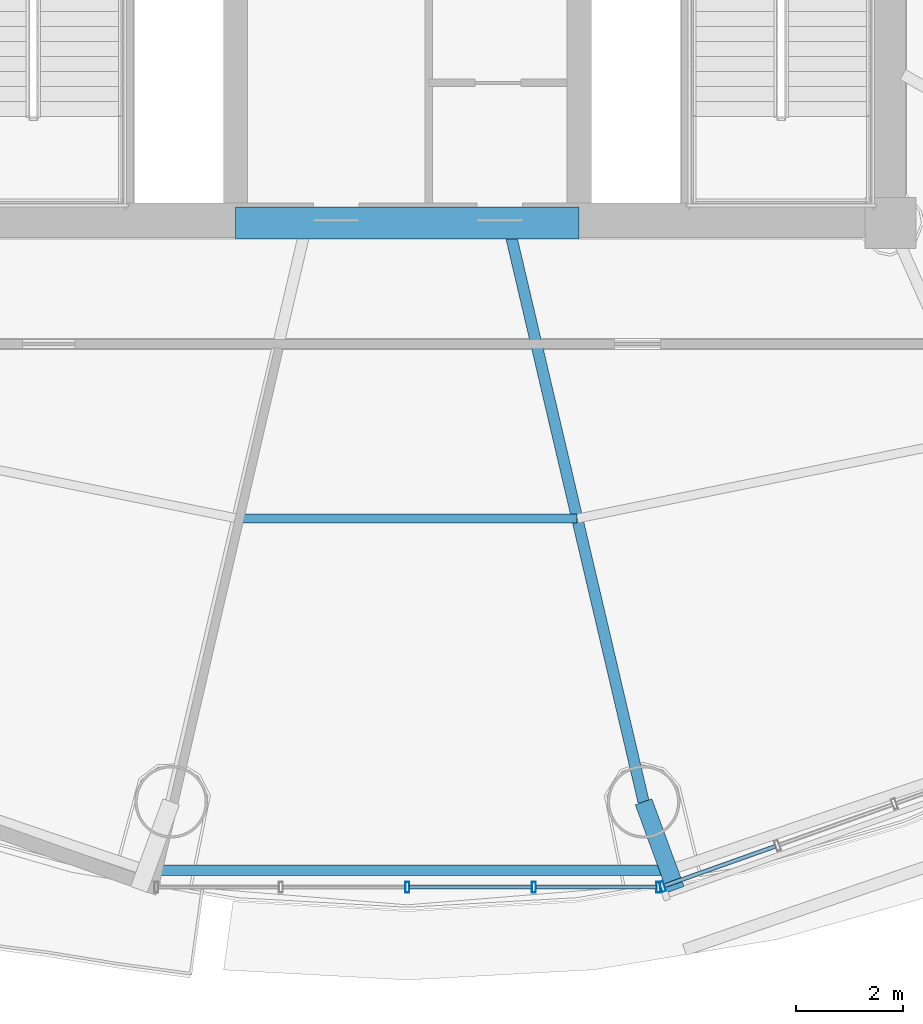
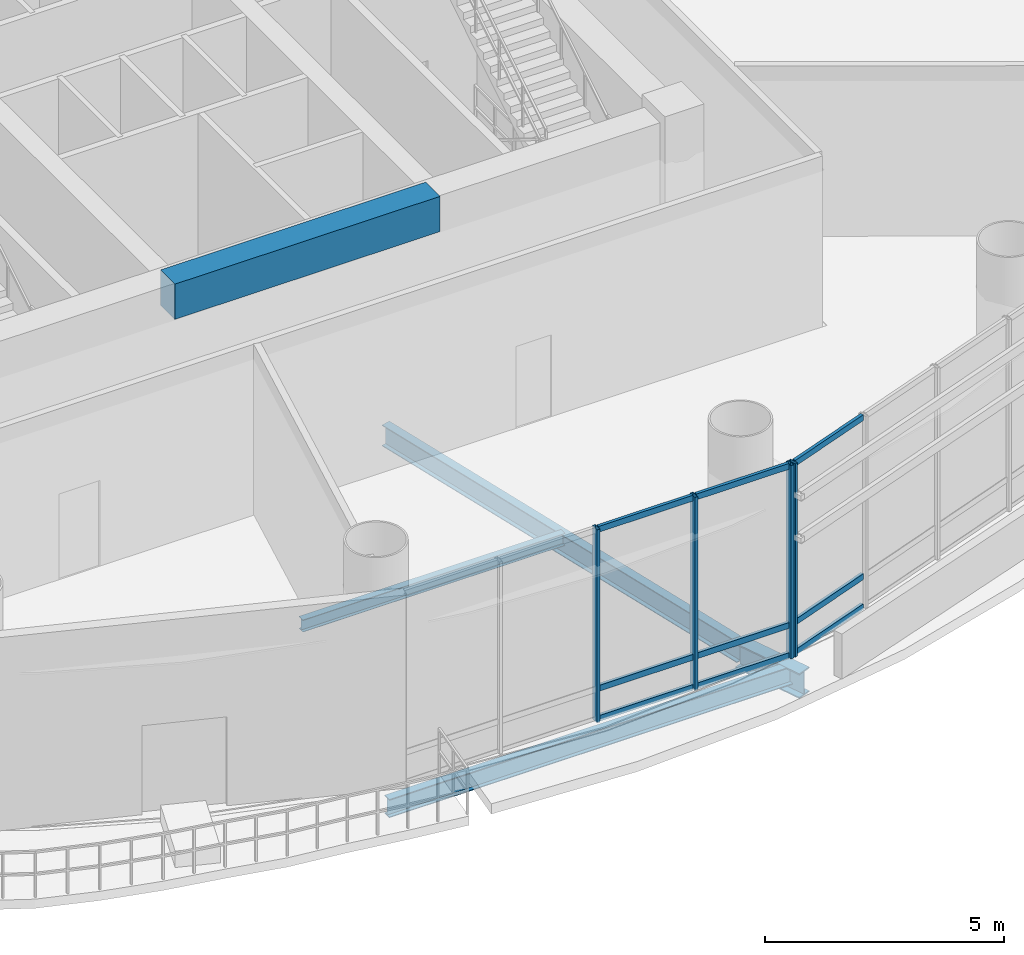
# One storey, part 5 of 29: 13 members, 5 beams, 2 elements without a shape of their own.
"""IFC4 building model written with IfcOpenShell, lengths in metres."""

import ifcopenshell
import ifcopenshell.guid

model = None  # the IFC model being written
_history = None  # IfcOwnerHistory: only IFC2X3 demands one
_inside = {}  # id of a spatial element -> (the spatial element, [elements in it])
_under = {}  # id of a project, library or spatial element -> (it, [spatial elements below it])
_declared = {}  # id of a project -> (the project, [libraries it declares])
_typed = {}  # id of a type object -> (the type object, [elements of that type])
_made_of = {}  # id of a material, layer set ... -> (it, [elements and type objects made of it])


def new_model(schema):
    """Start an empty IFC model of exactly this schema.

    Asked for "IFC4X3", IfcOpenShell would pick the latest addendum, in which some entities
    have other attributes; the version numbers below select the first issue.
    IFC2X3 requires an IfcOwnerHistory on every rooted entity: one is made here for all.
    """
    global model, _history
    if schema == "IFC4X3":
        model = ifcopenshell.file(schema_version=(4, 3, 0, 0))
    else:
        model = ifcopenshell.file(schema=schema)
    _inside.clear()
    _under.clear()
    _declared.clear()
    _typed.clear()
    _made_of.clear()
    _history = None
    if model.schema == "IFC2X3":
        org = make("IfcOrganization", Name="unknown")
        user = make(
            "IfcPersonAndOrganization",
            ThePerson=make("IfcPerson", FamilyName="unknown"),
            TheOrganization=org,
        )
        app = make(
            "IfcApplication",
            ApplicationDeveloper=org,
            Version="unknown",
            ApplicationFullName="unknown",
            ApplicationIdentifier="unknown",
        )
        _history = make(
            "IfcOwnerHistory",
            OwningUser=user,
            OwningApplication=app,
            ChangeAction="ADDED",
            CreationDate=0,
        )
    return model


def make(cls, **values):
    """One entity of the class cls with the attributes given. An attribute that is None is left unset."""
    return model.create_entity(
        cls, **{name: value for name, value in values.items() if value is not None}
    )


def rooted(cls, **values):
    """An entity with a GlobalId (a new one), such as an element, a storey or a relation."""
    return make(cls, GlobalId=ifcopenshell.guid.new(), OwnerHistory=_history, **values)


def si_unit(unit_type, name, prefix=None):
    """IfcSIUnit, for example si_unit("LENGTHUNIT", "METRE", prefix="MILLI")."""
    return make("IfcSIUnit", UnitType=unit_type, Prefix=prefix, Name=name)


def assignment(units):
    """IfcUnitAssignment: the units of a project."""
    return None if units is None else make("IfcUnitAssignment", Units=units)


def point(xyz):
    """IfcCartesianPoint."""
    return None if xyz is None else make("IfcCartesianPoint", Coordinates=xyz)


def direction(xyz):
    """IfcDirection."""
    return None if xyz is None else make("IfcDirection", DirectionRatios=xyz)


def frame(location, z_axis=None, x_axis=None):
    """IfcAxis2Placement3D, a coordinate frame: its origin and axes. An axis left out is left unset."""
    return make(
        "IfcAxis2Placement3D",
        Location=point(location),
        Axis=direction(z_axis),
        RefDirection=direction(x_axis),
    )


def frame_2d(location, x_axis=None):
    """IfcAxis2Placement2D, a coordinate frame in the plane: its origin and x axis."""
    return make(
        "IfcAxis2Placement2D", Location=point(location), RefDirection=direction(x_axis)
    )


def origin():
    """The frame at (0, 0, 0) with its axes left unset."""
    return frame((0.0, 0.0, 0.0))


def origin_2d():
    """The frame at (0, 0) in the plane with its x axis left unset."""
    return frame_2d((0.0, 0.0))


def place(relative_to, where):
    """IfcLocalPlacement: puts the frame where relative to a parent placement (None: the world)."""
    return make(
        "IfcLocalPlacement", PlacementRelTo=relative_to, RelativePlacement=where
    )


def context(
    kind, dimensions, precision=None, world=None, true_north=None, identifier=None
):
    """IfcGeometricRepresentationContext, for example the 3D "Model" context."""
    return make(
        "IfcGeometricRepresentationContext",
        ContextIdentifier=identifier,
        ContextType=kind,
        CoordinateSpaceDimension=dimensions,
        Precision=precision,
        WorldCoordinateSystem=world,
        TrueNorth=true_north,
    )


def subcontext(parent, identifier, kind, view, scale=None):
    """IfcGeometricRepresentationSubContext, for example "Body" below "Model"."""
    return make(
        "IfcGeometricRepresentationSubContext",
        ContextIdentifier=identifier,
        ContextType=kind,
        ParentContext=parent,
        TargetScale=scale,
        TargetView=view,
    )


def project(units=None, contexts=None):
    """IfcProject with its units and contexts."""
    return rooted(
        "IfcProject",
        Name="project",
        RepresentationContexts=contexts,
        UnitsInContext=assignment(units),
    )


def spatial(cls, under=None, at=None, **own):
    """A site, building, storey or space (cls), placed at a placement, below another one or the project."""
    s = rooted(cls, ObjectPlacement=at, **own)
    if under is not None:
        _under.setdefault(under.id(), (under, []))[1].append(s)
    return s


def profile(cls, at=None, kind="AREA", **sizes):
    """A parametric profile (cls). Its sizes go by their IFC names, for example OverallWidth=200.0."""
    return make(cls, ProfileType=kind, Position=at, **sizes)


def rectangle(**sizes):
    """IfcRectangleProfileDef."""
    return profile("IfcRectangleProfileDef", **sizes)


def hollow_rectangle(**sizes):
    """IfcRectangleHollowProfileDef."""
    return profile("IfcRectangleHollowProfileDef", **sizes)


def i_section(**sizes):
    """IfcIShapeProfileDef."""
    return profile("IfcIShapeProfileDef", **sizes)


def extrude(swept, where, along, depth):
    """IfcExtrudedAreaSolid: the profile swept, set in the frame where, extruded along a direction by depth."""
    return make(
        "IfcExtrudedAreaSolid",
        SweptArea=swept,
        Position=where,
        ExtrudedDirection=direction(along),
        Depth=depth,
    )


def shape(context_of_items, identifier, shape_type, items):
    """IfcShapeRepresentation: the items that make up one representation, for example the "Body"."""
    return make(
        "IfcShapeRepresentation",
        ContextOfItems=context_of_items,
        RepresentationIdentifier=identifier,
        RepresentationType=shape_type,
        Items=items,
    )


def source(mapping_origin, context_of_items, identifier, shape_type, items):
    """IfcRepresentationMap: a shape defined once, which mapped items show again and again."""
    return make(
        "IfcRepresentationMap",
        MappingOrigin=mapping_origin,
        MappedRepresentation=shape(context_of_items, identifier, shape_type, items),
    )


def transform(
    local_origin,
    x_axis=None,
    y_axis=None,
    z_axis=None,
    scale=None,
    scale2=None,
    scale3=None,
    uniform=True,
):
    """IfcCartesianTransformationOperator3D, or its non-uniform kind. x_axis, y_axis, z_axis: its Axis1, 2, 3."""
    if uniform:
        return make(
            "IfcCartesianTransformationOperator3D",
            Axis1=direction(x_axis),
            Axis2=direction(y_axis),
            LocalOrigin=point(local_origin),
            Scale=scale,
            Axis3=direction(z_axis),
        )
    return make(
        "IfcCartesianTransformationOperator3DnonUniform",
        Axis1=direction(x_axis),
        Axis2=direction(y_axis),
        LocalOrigin=point(local_origin),
        Scale=scale,
        Axis3=direction(z_axis),
        Scale2=scale2,
        Scale3=scale3,
    )


def mapped(mapping_source, mapping_target):
    """IfcMappedItem: shows the shape of a source again, moved by a transform."""
    return make(
        "IfcMappedItem", MappingSource=mapping_source, MappingTarget=mapping_target
    )


def material(Name=None, Category=None):
    """IfcMaterial."""
    return make("IfcMaterial", Name=Name, Category=Category)


def material_profile(
    of_material, cross_section, Name=None, Category=None, Priority=None
):
    """IfcMaterialProfile: a cross section and its material."""
    return make(
        "IfcMaterialProfile",
        Name=Name,
        Material=of_material,
        Profile=cross_section,
        Priority=Priority,
        Category=Category,
    )


def profile_set(profiles, Name=None, composite=None):
    """IfcMaterialProfileSet."""
    return make(
        "IfcMaterialProfileSet",
        Name=Name,
        MaterialProfiles=profiles,
        CompositeProfile=composite,
    )


def made_of(thing, what):
    """Note that an element or type object is made of a material, layer set ...; save() writes the relation."""
    if what is not None:
        _made_of.setdefault(what.id(), (what, []))[1].append(thing)
    return thing


def type_object(cls, material=None, **own):
    """A type object (cls), such as IfcWallType, which elements share."""
    return made_of(rooted(cls, **own), material)


def element(
    cls,
    number,
    at=None,
    inside=None,
    cuts=None,
    type_object=None,
    material=None,
    context=None,
    identifier="Body",
    shape_type=None,
    held_by="IfcProductDefinitionShape",
    body=None,
    shapes=None,
    **own,
):
    """One element of the class cls, such as IfcWall. Its Tag is "e" and its number.

    at: its placement. inside: the storey or other place that contains it. cuts: it is an
    opening in that element (IfcRelVoidsElement). A single representation is given by context,
    identifier, shape_type and body (its items); several are given by shapes. held_by: the class
    of the entity that holds the representations. save() writes the other relations.
    """
    e = rooted(cls, Tag="e%d" % number, ObjectPlacement=at, **own)
    if body is not None:
        shapes = [shape(context, identifier, shape_type, body)]
    if shapes is not None:
        e.Representation = make(held_by, Representations=shapes)
    if inside is not None:
        _inside.setdefault(inside.id(), (inside, []))[1].append(e)
    if cuts is not None:
        rooted(
            "IfcRelVoidsElement", RelatingBuildingElement=cuts, RelatedOpeningElement=e
        )
    if type_object is not None:
        _typed.setdefault(type_object.id(), (type_object, []))[1].append(e)
    return made_of(e, material)


def aggregate(whole, parts):
    """IfcRelAggregates: a whole, such as a stair, and the parts it consists of."""
    return rooted("IfcRelAggregates", RelatingObject=whole, RelatedObjects=parts)


def save(model, path):
    """Write the relations noted so far, then the file.

    IfcRelAggregates (storeys below a building ...), IfcRelContainedInSpatialStructure (elements
    in a storey), IfcRelDefinesByType, IfcRelAssociatesMaterial and IfcRelDeclares: one each for
    every whole, place, type object, material and project.
    """
    for whole, parts in _under.values():
        aggregate(whole, parts)
    for where, things in _inside.values():
        rooted(
            "IfcRelContainedInSpatialStructure",
            RelatedElements=things,
            RelatingStructure=where,
        )
    for kind, things in _typed.values():
        rooted("IfcRelDefinesByType", RelatedObjects=things, RelatingType=kind)
    for what, things in _made_of.values():
        rooted("IfcRelAssociatesMaterial", RelatedObjects=things, RelatingMaterial=what)
    for by, libraries in _declared.values():
        rooted("IfcRelDeclares", RelatingContext=by, RelatedDefinitions=libraries)
    model.write(path)


model = new_model("IFC4")

# Units and contexts
model_context = context("Model", 3, precision=1e-05, world=origin(), true_north=direction((-0.2419218956, 0.970295726276)))
body_context = subcontext(model_context, "Body", "Model", "MODEL_VIEW")
ifc_project = project(units=[si_unit("LENGTHUNIT", "METRE"), si_unit("AREAUNIT", "SQUARE_METRE"), si_unit("VOLUMEUNIT", "CUBIC_METRE"), si_unit("PLANEANGLEUNIT", "RADIAN"), si_unit("MASSUNIT", "GRAM", prefix="KILO")], contexts=[model_context])

# Site, building, storey
site_placement = place(None, origin())
site = spatial("IfcSite", under=ifc_project, at=site_placement, CompositionType="ELEMENT")
building_placement = place(site_placement, origin())
building = spatial("IfcBuilding", under=site, at=building_placement, Name="Cobrevalo Terracotta Tower", CompositionType="ELEMENT")
storey_placement = place(building_placement, frame((0.0, 0.0, 130.199951171875)))
storey = spatial("IfcBuildingStorey", under=building, at=storey_placement, Name="L34", CompositionType="ELEMENT", Elevation=130.199951171875)

# Beams
ifc_material_1 = material(Name="Concrete C60", Category="concrete")
ifc_material_profile_1 = material_profile(ifc_material_1, rectangle(XDim=0.60009765625, YDim=0.89990234375, at=origin_2d()), Name="RC CB 600x900")
ifc_profile_set_1 = profile_set([ifc_material_profile_1], Name="Concrete C60")
beam_type_1 = type_object("IfcBeamType", Name="Structural Beam RC CB 600x900 (Concrete C60)", PredefinedType="BEAM", material=ifc_profile_set_1)
beam_1_placement = place(storey_placement, frame((34.800048828125, 18.800048828125, 4.47998046875), z_axis=(1.0, 0.0, 0.0), x_axis=(0.0, 1.0, 0.0)))
element("IfcBeam", 1, at=beam_1_placement, inside=storey, type_object=beam_type_1, Name="L34 core coupling beam 1", PredefinedType="BEAM", context=body_context, shape_type="SweptSolid", body=[
    extrude(rectangle(XDim=0.60009765625, YDim=0.89990234375, at=origin_2d()), origin(), (0.0, 0.0, 1.0), 6.39990234375),
])
ifc_material_2 = material(Name="Steel S355", Category="steel")
ifc_material_profile_2 = material_profile(ifc_material_2, i_section(OverallWidth=0.2109375, OverallDepth=0.5390625, WebThickness=0.01171875, FlangeThickness=0.018798828125, at=origin_2d()), Name="W 530x109")
ifc_profile_set_2 = profile_set([ifc_material_profile_2], Name="Steel S355")
beam_type_2 = type_object("IfcBeamType", Name="Structural Beam W 530x109 (Steel S355)", PredefinedType="BEAM", material=ifc_profile_set_2)
beam_2_placement = place(storey_placement, frame((42.399169921875, 8.01806640625, -0.719482421875), z_axis=(-0.228043508766, 0.973650942643, 0.0), x_axis=(-0.973650942643, -0.228043508766, 0.0)))
element("IfcBeam", 2, at=beam_2_placement, inside=storey, type_object=beam_type_2, Name="L34 radial floor girder 13", PredefinedType="BEAM", context=body_context, shape_type="SweptSolid", body=[
    extrude(i_section(OverallWidth=0.2109375, OverallDepth=0.5390625, WebThickness=0.01171875, FlangeThickness=0.018798828125, at=origin_2d()), origin(), (0.0, 0.0, 1.0), 10.837646484375),
])
ifc_material_profile_3 = material_profile(ifc_material_2, i_section(OverallWidth=0.3291015625, OverallDepth=0.635009765625, WebThickness=0.017822265625, FlangeThickness=0.031005859375, at=origin_2d()), Name="W 610x241")
ifc_profile_set_3 = profile_set([ifc_material_profile_3], Name="Steel S355")
beam_type_3 = type_object("IfcBeamType", Name="Structural Beam W 610x241 (Steel S355)", PredefinedType="BEAM", material=ifc_profile_set_3)
beam_3_placement = place(storey_placement, frame((42.99853515625, 6.38623046875, -0.767333984375), z_axis=(-0.344774532192, 0.938685528786, 0.0), x_axis=(-0.938685528786, -0.344774532192, 0.0)))
element("IfcBeam", 3, at=beam_3_placement, inside=storey, type_object=beam_type_3, Name="L34 setback step-link girder 13", PredefinedType="BEAM", context=body_context, shape_type="SweptSolid", body=[
    extrude(i_section(OverallWidth=0.3291015625, OverallDepth=0.635009765625, WebThickness=0.017822265625, FlangeThickness=0.031005859375, at=origin_2d()), origin(), (0.0, 0.0, 1.0), 1.738525390625),
])
ifc_material_profile_4 = material_profile(ifc_material_2, i_section(OverallWidth=0.1650390625, OverallDepth=0.31005859375, WebThickness=0.005859375, FlangeThickness=0.009765625, at=origin_2d()), Name="W 310x38.7")
ifc_profile_set_4 = profile_set([ifc_material_profile_4], Name="Steel S355")
beam_type_4 = type_object("IfcBeamType", Name="Structural Joist W 310x38.7 (Steel S355)", PredefinedType="JOIST", material=ifc_profile_set_4)
beam_4_placement = place(storey_placement, frame((34.83642578125, 13.2939453125, -0.60498046875), z_axis=(1.0, 0.0, 0.0), x_axis=(0.0, 1.0, 0.0)))
element("IfcBeam", 4, at=beam_4_placement, inside=storey, type_object=beam_type_4, Name="L34 circumferential secondary floor joist 12", PredefinedType="JOIST", context=body_context, shape_type="SweptSolid", body=[
    extrude(i_section(OverallWidth=0.1650390625, OverallDepth=0.31005859375, WebThickness=0.005859375, FlangeThickness=0.009765625, at=origin_2d()), origin(), (0.0, 0.0, 1.0), 6.3271484375),
])
ifc_material_profile_5 = material_profile(ifc_material_2, i_section(OverallWidth=0.194091796875, OverallDepth=0.468994140625, WebThickness=0.011474609375, FlangeThickness=0.0205078125, at=origin_2d()), Name="W 460x106")
ifc_profile_set_5 = profile_set([ifc_material_profile_5], Name="Steel S355")
beam_type_5 = type_object("IfcBeamType", Name="Structural Spandrel W 460x106 (Steel S355)", PredefinedType="SPANDREL", material=ifc_profile_set_5)
beam_5_placement = place(storey_placement, frame((33.132568359375, 6.742919921875, -0.6845703125), z_axis=(1.0, 0.0, 0.0), x_axis=(0.0, 1.0, 0.0)))
element("IfcBeam", 5, at=beam_5_placement, inside=storey, type_object=beam_type_5, Name="L34 perimeter ring spandrel 12", PredefinedType="SPANDREL", context=body_context, shape_type="SweptSolid", body=[
    extrude(i_section(OverallWidth=0.194091796875, OverallDepth=0.468994140625, WebThickness=0.011474609375, FlangeThickness=0.0205078125, at=origin_2d()), origin(), (0.0, 0.0, 1.0), 9.73486328125),
])

# Curtain wall, members
ifc_material_3 = material(Name="Anodized aluminium", Category="aluminium")
curtain_wall_type = type_object("IfcCurtainWallType", Name="Double-height sky-lobby panoramic curtain wall CW-SK", PredefinedType="NOTDEFINED", material=ifc_material_3)
curtain_wall_1_placement = place(storey_placement, origin())
curtain_wall_1 = element("IfcCurtainWall", 6, at=curtain_wall_1_placement, inside=storey, type_object=curtain_wall_type, Name="L34 curtain wall CW-SK-L34-S12", PredefinedType="NOTDEFINED")
ifc_material_profile_6 = material_profile(ifc_material_3, hollow_rectangle(XDim=0.074951171875, YDim=0.199951171875, WallThickness=0.0048828125, at=origin_2d()), Name="CWM 75x200")
ifc_profile_set_6 = profile_set([ifc_material_profile_6], Name="Anodized aluminium")
member_type_1 = type_object("IfcMemberType", Name="Lower/mid tower unitised mullion 75x200", PredefinedType="MULLION", material=ifc_profile_set_6)
shared_shape_1 = source(origin(), body_context, "Body", "SweptSolid", [
    extrude(hollow_rectangle(XDim=0.074951171875, YDim=0.199951171875, WallThickness=0.0048828125, at=origin_2d()), origin(), (0.0, 0.0, 1.0), 4.929931640625),
])
member_1_placement = place(storey_placement, frame((38.0, 6.42919921875, 0.0), z_axis=(0.0, 0.0, 1.0), x_axis=(1.0, 0.0, 0.0)))
member_1 = element("IfcMember", 7, at=member_1_placement, type_object=member_type_1, Name="CW-SK-L34-S12 vertical mullion 03", PredefinedType="MULLION", context=body_context, shape_type="MappedRepresentation", body=[
    mapped(shared_shape_1, transform((0.0, 0.0, 0.0), scale=1.0)),
])
member_2_placement = place(storey_placement, frame((40.357666015625, 6.42919921875, 0.0), z_axis=(0.0, 0.0, 1.0), x_axis=(1.0, 0.0, 0.0)))
member_2 = element("IfcMember", 8, at=member_2_placement, type_object=member_type_1, Name="CW-SK-L34-S12 vertical mullion 04", PredefinedType="MULLION", context=body_context, shape_type="MappedRepresentation", body=[
    mapped(shared_shape_1, transform((0.0, 0.0, 0.0), scale=1.0)),
])
member_3_placement = place(storey_placement, frame((42.67529296875, 6.42919921875, 0.0), z_axis=(0.0, 0.0, 1.0), x_axis=(1.0, 0.0, 0.0)))
member_3 = element("IfcMember", 9, at=member_3_placement, type_object=member_type_1, Name="CW-SK-L34-S12 vertical mullion 05", PredefinedType="MULLION", context=body_context, shape_type="MappedRepresentation", body=[
    mapped(shared_shape_1, transform((0.0, 0.0, 0.0), scale=1.0)),
])

# Curtain wall, member
curtain_wall_2_placement = place(storey_placement, origin())
curtain_wall_2 = element("IfcCurtainWall", 10, at=curtain_wall_2_placement, inside=storey, type_object=curtain_wall_type, Name="L34 curtain wall CW-SK-L34-S13", PredefinedType="NOTDEFINED")
member_4_placement = place(storey_placement, frame((42.7529296875, 6.4423828125, 0.0), z_axis=(0.0, 0.0, 1.0), x_axis=(0.942098428897, 0.335336473217, 0.0)))
member_4 = element("IfcMember", 11, at=member_4_placement, type_object=member_type_1, Name="CW-SK-L34-S13 vertical mullion 01", PredefinedType="MULLION", context=body_context, shape_type="MappedRepresentation", body=[
    mapped(shared_shape_1, transform((0.0, 0.0, 0.0), scale=1.0)),
])

# Member
ifc_material_profile_7 = material_profile(ifc_material_3, hollow_rectangle(XDim=0.074951171875, YDim=0.14990234375, WallThickness=0.00439453125, at=origin_2d()), Name="CWT 75x150")
ifc_profile_set_7 = profile_set([ifc_material_profile_7], Name="Anodized aluminium")
member_type_2 = type_object("IfcMemberType", Name="Tower unitised aluminium transom 75x150", PredefinedType="USERDEFINED", material=ifc_profile_set_7)
shared_shape_2 = source(origin(), body_context, "Body", "SweptSolid", [
    extrude(hollow_rectangle(XDim=0.074951171875, YDim=0.14990234375, WallThickness=0.00439453125, at=origin_2d()), origin(), (0.0, 0.0, 1.0), 2.237548828125),
])
member_5_placement = place(storey_placement, frame((40.397705078125, 6.42919921875, 0.050048828125), z_axis=(1.0, 0.0, 0.0), x_axis=(0.0, 1.0, 0.0)))
member_5 = element("IfcMember", 12, at=member_5_placement, type_object=member_type_2, Name="CW-SK-L34-S12 transom B04-T1", ObjectType="TRANSOM", PredefinedType="USERDEFINED", context=body_context, shape_type="MappedRepresentation", body=[
    mapped(shared_shape_2, transform((0.0, 0.0, 0.0), scale=1.0)),
])

member_6_placement = place(storey_placement, frame((40.397705078125, 6.42919921875, 0.820068359375), z_axis=(1.0, 0.0, 0.0), x_axis=(0.0, 1.0, 0.0)))
member_6 = element("IfcMember", 13, at=member_6_placement, type_object=member_type_2, Name="CW-SK-L34-S12 transom B04-T2", ObjectType="TRANSOM", PredefinedType="USERDEFINED", context=body_context, shape_type="MappedRepresentation", body=[
    mapped(shared_shape_2, transform((0.0, 0.0, 0.0), scale=1.0)),
])

member_7_placement = place(storey_placement, frame((40.397705078125, 6.42919921875, 4.880126953125), z_axis=(1.0, 0.0, 0.0), x_axis=(0.0, 1.0, 0.0)))
member_7 = element("IfcMember", 14, at=member_7_placement, type_object=member_type_2, Name="CW-SK-L34-S12 transom B04-T3", ObjectType="TRANSOM", PredefinedType="USERDEFINED", context=body_context, shape_type="MappedRepresentation", body=[
    mapped(shared_shape_2, transform((0.0, 0.0, 0.0), scale=1.0)),
])

shared_shape_3 = source(origin(), body_context, "Body", "SweptSolid", [
    extrude(hollow_rectangle(XDim=0.074951171875, YDim=0.14990234375, WallThickness=0.00439453125, at=origin_2d()), origin(), (0.0, 0.0, 1.0), 2.277587890625),
])
member_8_placement = place(storey_placement, frame((38.0400390625, 6.42919921875, 0.050048828125), z_axis=(1.0, 0.0, 0.0), x_axis=(0.0, 1.0, 0.0)))
member_8 = element("IfcMember", 15, at=member_8_placement, type_object=member_type_2, Name="CW-SK-L34-S12 transom B03-T1", ObjectType="TRANSOM", PredefinedType="USERDEFINED", context=body_context, shape_type="MappedRepresentation", body=[
    mapped(shared_shape_3, transform((0.0, 0.0, 0.0), scale=1.0)),
])

member_9_placement = place(storey_placement, frame((38.0400390625, 6.42919921875, 0.820068359375), z_axis=(1.0, 0.0, 0.0), x_axis=(0.0, 1.0, 0.0)))
member_9 = element("IfcMember", 16, at=member_9_placement, type_object=member_type_2, Name="CW-SK-L34-S12 transom B03-T2", ObjectType="TRANSOM", PredefinedType="USERDEFINED", context=body_context, shape_type="MappedRepresentation", body=[
    mapped(shared_shape_3, transform((0.0, 0.0, 0.0), scale=1.0)),
])

member_10_placement = place(storey_placement, frame((38.0400390625, 6.42919921875, 4.880126953125), z_axis=(1.0, 0.0, 0.0), x_axis=(0.0, 1.0, 0.0)))
member_10 = element("IfcMember", 17, at=member_10_placement, type_object=member_type_2, Name="CW-SK-L34-S12 transom B03-T3", ObjectType="TRANSOM", PredefinedType="USERDEFINED", context=body_context, shape_type="MappedRepresentation", body=[
    mapped(shared_shape_3, transform((0.0, 0.0, 0.0), scale=1.0)),
])

aggregate(curtain_wall_1, [member_1, member_2, member_3, member_8, member_9, member_10, member_5, member_6, member_7])

shared_shape_4 = source(origin(), body_context, "Body", "SweptSolid", [
    extrude(hollow_rectangle(XDim=0.074951171875, YDim=0.14990234375, WallThickness=0.00439453125, at=origin_2d()), origin(), (0.0, 0.0, 1.0), 2.192138671875),
])
member_11_placement = place(storey_placement, frame((42.790771484375, 6.455810546875, 0.050048828125), z_axis=(0.942096668248, 0.335341419564, 0.0), x_axis=(-0.335341419564, 0.942096668248, 0.0)))
member_11 = element("IfcMember", 18, at=member_11_placement, type_object=member_type_2, Name="CW-SK-L34-S13 transom B01-T1", ObjectType="TRANSOM", PredefinedType="USERDEFINED", context=body_context, shape_type="MappedRepresentation", body=[
    mapped(shared_shape_4, transform((0.0, 0.0, 0.0), scale=1.0)),
])

member_12_placement = place(storey_placement, frame((42.790771484375, 6.455810546875, 0.820068359375), z_axis=(0.942096668248, 0.335341419564, 0.0), x_axis=(-0.335341419564, 0.942096668248, 0.0)))
member_12 = element("IfcMember", 19, at=member_12_placement, type_object=member_type_2, Name="CW-SK-L34-S13 transom B01-T2", ObjectType="TRANSOM", PredefinedType="USERDEFINED", context=body_context, shape_type="MappedRepresentation", body=[
    mapped(shared_shape_4, transform((0.0, 0.0, 0.0), scale=1.0)),
])

member_13_placement = place(storey_placement, frame((42.790771484375, 6.455810546875, 4.880126953125), z_axis=(0.942096668248, 0.335341419564, 0.0), x_axis=(-0.335341419564, 0.942096668248, 0.0)))
member_13 = element("IfcMember", 20, at=member_13_placement, type_object=member_type_2, Name="CW-SK-L34-S13 transom B01-T3", ObjectType="TRANSOM", PredefinedType="USERDEFINED", context=body_context, shape_type="MappedRepresentation", body=[
    mapped(shared_shape_4, transform((0.0, 0.0, 0.0), scale=1.0)),
])

aggregate(curtain_wall_2, [member_4, member_11, member_12, member_13])

save(model, "model.ifc")
